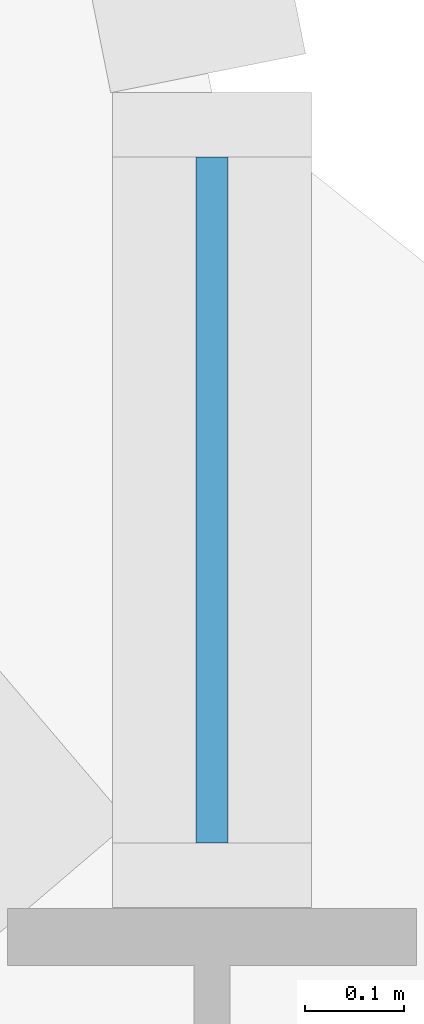
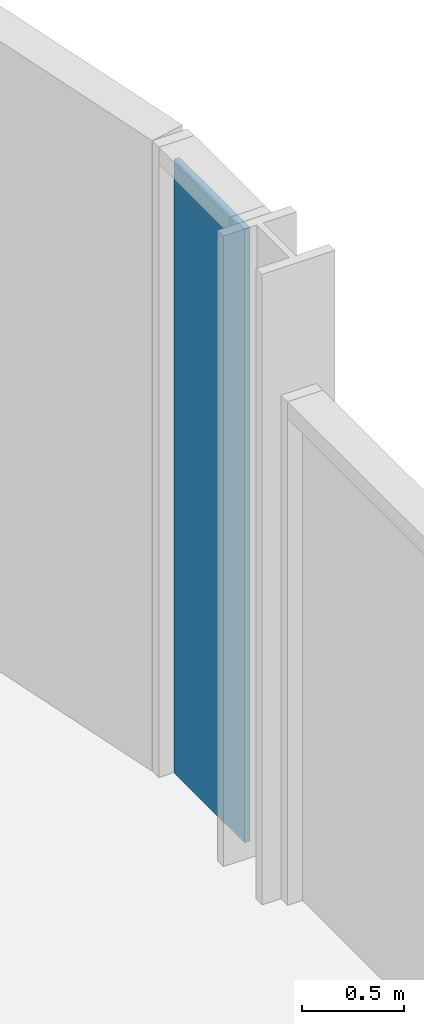
# One storey, part 12 of 28: 1 plate, 1 element without a shape of its own.
"""IFC4 building model written with IfcOpenShell, lengths in metres."""

from ifc_helpers import new_model, si_unit, direction, frame, origin, origin_2d, place, context, subcontext, project, spatial, rectangle, extrude, material, layer, layer_set, type_object, element, aggregate, save


model = new_model("IFC4")

# Units and contexts
model_context = context("Model", 3, precision=1e-05, world=origin(), true_north=direction((0.0, 1.0)))
body_context = subcontext(model_context, "Body", "Model", "MODEL_VIEW")
ifc_project = project(units=[si_unit("LENGTHUNIT", "METRE"), si_unit("AREAUNIT", "SQUARE_METRE"), si_unit("VOLUMEUNIT", "CUBIC_METRE"), si_unit("PLANEANGLEUNIT", "RADIAN"), si_unit("MASSUNIT", "GRAM", prefix="KILO")], contexts=[model_context])

# Site, building, storey
site_placement = place(None, origin())
site = spatial("IfcSite", under=ifc_project, at=site_placement, CompositionType="ELEMENT")
building_placement = place(site_placement, origin())
building = spatial("IfcBuilding", under=site, at=building_placement, Name="Mahtab Terrace Research Tower", CompositionType="ELEMENT")
storey_placement = place(building_placement, frame((0.0, 0.0, 130.199951171875)))
storey = spatial("IfcBuildingStorey", under=building, at=storey_placement, Name="L30", CompositionType="ELEMENT", Elevation=130.199951171875)

# Curtain wall, plate
ifc_material_1 = material(Name="Laboratory ribbon curtain wall")
curtain_wall_type = type_object("IfcCurtainWallType", Name="Laboratory ribbon curtain wall", PredefinedType="NOTDEFINED", material=ifc_material_1)
curtain_wall_placement = place(storey_placement, origin())
curtain_wall = element("IfcCurtainWall", 1, at=curtain_wall_placement, inside=storey, type_object=curtain_wall_type, Name="EN.L30.18.39", PredefinedType="NOTDEFINED")
ifc_material_2 = material(Name="Dark glazing", Category="glass")
ifc_layer = layer(ifc_material_2, 0.031982421875)
ifc_layer_set = layer_set([ifc_layer], Name="Laboratory ribbon curtain wall glazing panel")
plate_type = type_object("IfcPlateType", Name="Laboratory ribbon curtain wall glazing panel", PredefinedType="CURTAIN_PANEL", material=ifc_layer_set)
plate_placement = place(storey_placement, frame((48.0, 22.590087890625, 0.0), z_axis=(0.0, 0.0, 1.0), x_axis=(0.0, 1.0, 0.0)))
plate = element("IfcPlate", 2, at=plate_placement, type_object=plate_type, Name="CWL-4 panel 1", PredefinedType="CURTAIN_PANEL", context=body_context, shape_type="SweptSolid", body=[
    extrude(rectangle(XDim=0.68994140625, YDim=0.031982421875, at=origin_2d()), origin(), (0.0, 0.0, 1.0), 3.659912109375),
])
aggregate(curtain_wall, [plate])

save(model, "model.ifc")
